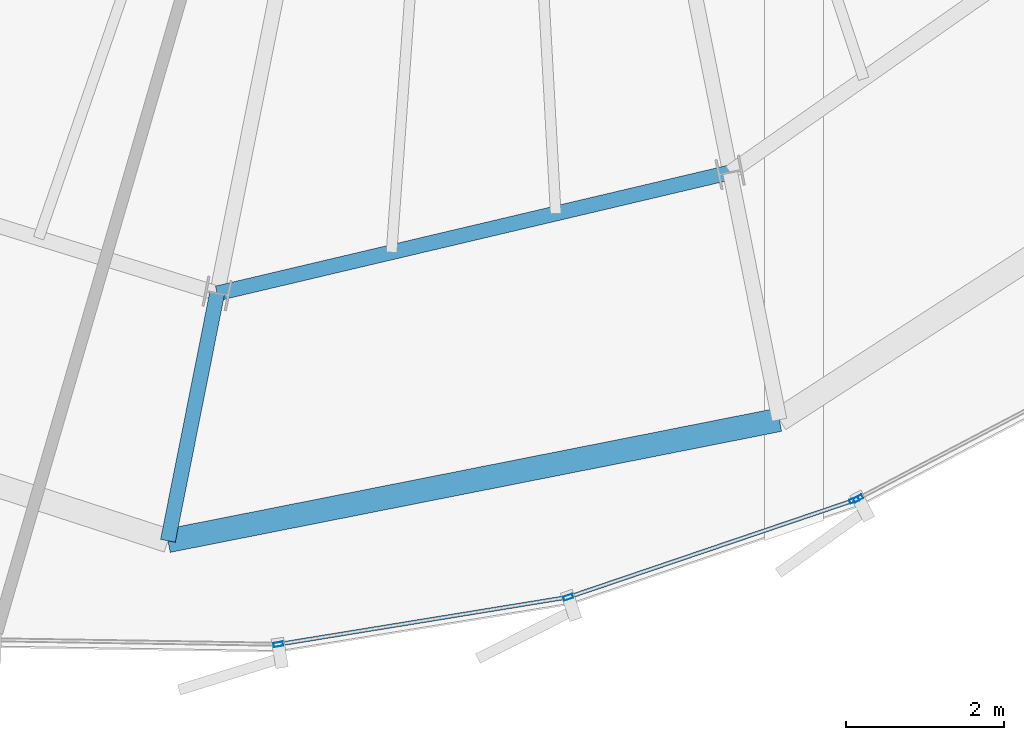
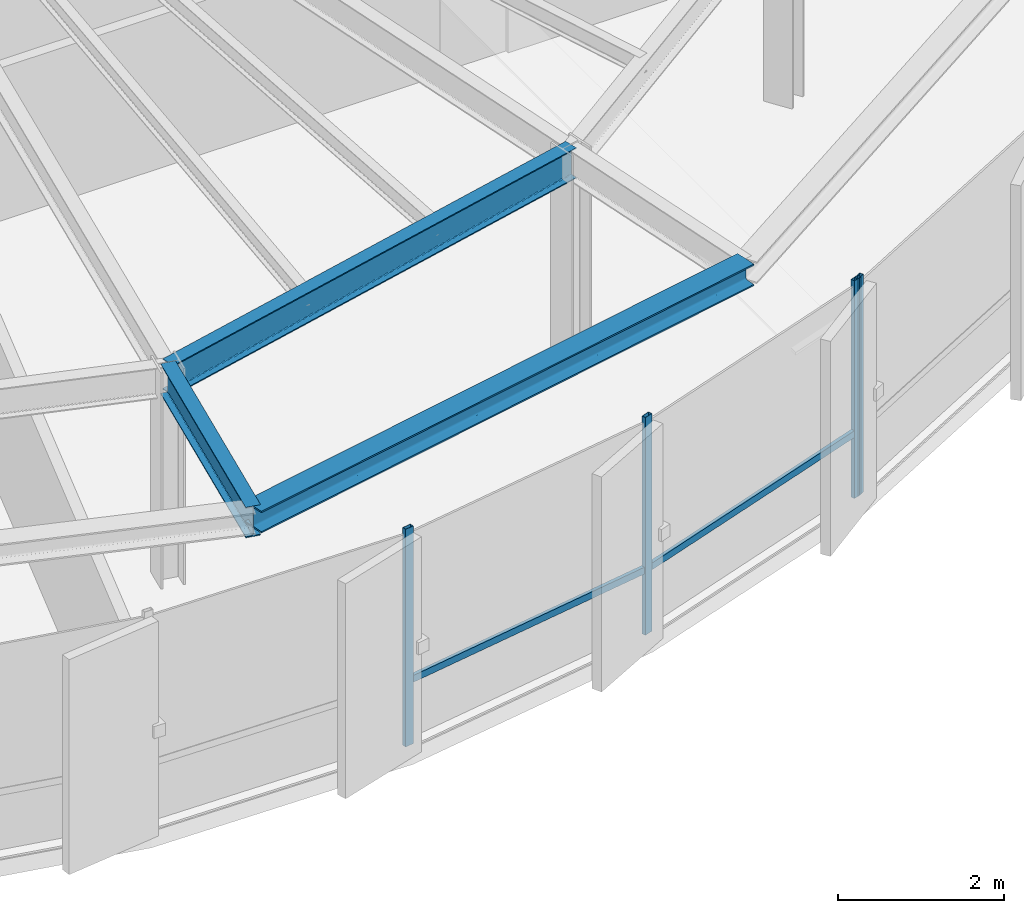
# One storey, part 6 of 34: 6 members, 3 beams, 2 elements without a shape of their own.
"""IFC4 building model written with IfcOpenShell, lengths in metres."""

from ifc_helpers import new_model, si_unit, direction, frame, origin, origin_2d, place, context, subcontext, project, spatial, hollow_rectangle, i_section, extrude, source, transform, mapped, material, layer, layer_set, material_profile, profile_set, type_object, element, aggregate, save


model = new_model("IFC4")

# Units and contexts
model_context = context("Model", 3, precision=1e-05, world=origin(), true_north=direction((0.0, 1.0)))
body_context = subcontext(model_context, "Body", "Model", "MODEL_VIEW")
ifc_project = project(units=[si_unit("LENGTHUNIT", "METRE"), si_unit("AREAUNIT", "SQUARE_METRE"), si_unit("VOLUMEUNIT", "CUBIC_METRE"), si_unit("PLANEANGLEUNIT", "RADIAN"), si_unit("MASSUNIT", "GRAM", prefix="KILO"), si_unit("THERMODYNAMICTEMPERATUREUNIT", "KELVIN")], contexts=[model_context])

# Site, building, storey
site_placement = place(None, origin())
site = spatial("IfcSite", under=ifc_project, at=site_placement, CompositionType="ELEMENT")
building_placement = place(site_placement, origin())
building = spatial("IfcBuilding", under=site, at=building_placement, Name="Kethvar Cultural Tower", CompositionType="ELEMENT")
storey_placement = place(building_placement, frame((0.0, 0.0, 231.85009765625)))
storey = spatial("IfcBuildingStorey", under=building, at=storey_placement, Name="L60", CompositionType="ELEMENT", Elevation=231.85009765625)

# Beams
ifc_material_1 = material(Name="Steel S355J2", Category="steel")
ifc_material_profile_1 = material_profile(ifc_material_1, i_section(OverallWidth=0.18994140625, OverallDepth=0.449951171875, WebThickness=0.009521484375, FlangeThickness=0.0146484375, FilletRadius=0.02099609375, at=origin_2d()), Name="Steel S355J2 — IPE450")
ifc_profile_set_1 = profile_set([ifc_material_profile_1], Name="Steel S355J2 — IPE450")
beam_type_1 = type_object("IfcBeamType", Name="BM-IPE450", PredefinedType="BEAM", material=ifc_profile_set_1)
shared_shape_1 = source(origin(), body_context, "Body", "SweptSolid", [
    extrude(i_section(OverallWidth=0.18994140625, OverallDepth=0.449951171875, WebThickness=0.009521484375, FlangeThickness=0.0146484375, FilletRadius=0.02099609375, at=origin_2d()), origin(), (0.0, 0.0, 1.0), 3.2001953125),
])
beam_1_placement = place(storey_placement, frame((43.392822265625, 10.67138671875, 2.98291015625), z_axis=(-0.195074368086, -0.980788453702, 0.0), x_axis=(0.980788453702, -0.195074368086, 0.0)))
element("IfcBeam", 1, at=beam_1_placement, inside=storey, type_object=beam_type_1, Name="L60 Perimeter Cantilever Beam RC-12", PredefinedType="BEAM", context=body_context, shape_type="MappedRepresentation", body=[
    mapped(shared_shape_1, transform((0.0, 0.0, 0.0), scale=1.0)),
])
shared_shape_2 = source(origin(), body_context, "Body", "SweptSolid", [
    extrude(i_section(OverallWidth=0.18994140625, OverallDepth=0.449951171875, WebThickness=0.009521484375, FlangeThickness=0.0146484375, FilletRadius=0.02099609375, at=origin_2d()), origin(), (0.0, 0.0, 1.0), 6.6875),
])
beam_2_placement = place(storey_placement, frame((43.392822265625, 10.67138671875, 2.98291015625), z_axis=(0.973286301494, 0.22959480683, 0.0), x_axis=(-0.22959480683, 0.973286301494, 0.0)))
element("IfcBeam", 2, at=beam_2_placement, inside=storey, type_object=beam_type_1, Name="L60 Column Ring Tie Beam CR-12", PredefinedType="BEAM", context=body_context, shape_type="MappedRepresentation", body=[
    mapped(shared_shape_2, transform((0.0, 0.0, 0.0), scale=1.0)),
])
ifc_material_profile_2 = material_profile(ifc_material_1, i_section(OverallWidth=0.300048828125, OverallDepth=0.320068359375, WebThickness=0.011474609375, FlangeThickness=0.0205078125, FilletRadius=0.027099609375, at=origin_2d()), Name="Steel S355J2 — HEB320")
ifc_profile_set_2 = profile_set([ifc_material_profile_2], Name="Steel S355J2 — HEB320")
beam_type_2 = type_object("IfcBeamType", Name="BM-SP320", PredefinedType="SPANDREL", material=ifc_profile_set_2)
shared_shape_3 = source(origin(), body_context, "Body", "SweptSolid", [
    extrude(i_section(OverallWidth=0.300048828125, OverallDepth=0.320068359375, WebThickness=0.011474609375, FlangeThickness=0.0205078125, FilletRadius=0.027099609375, at=origin_2d()), origin(), (0.0, 0.0, 1.0), 7.907958984375),
])
beam_3_placement = place(storey_placement, frame((42.7685546875, 7.53271484375, 3.0478515625), z_axis=(0.980963515828, 0.194192122948, 0.0), x_axis=(-0.194192122948, 0.980963515828, 0.0)))
element("IfcBeam", 3, at=beam_3_placement, inside=storey, type_object=beam_type_2, Name="L60 Perimeter Spandrel Beam SP-12", PredefinedType="SPANDREL", context=body_context, shape_type="MappedRepresentation", body=[
    mapped(shared_shape_3, transform((0.0, 0.0, 0.0), scale=1.0)),
])

# Curtain wall, members
ifc_material_2 = material(Name="Aluminium 6063-T6", Category="aluminium")
ifc_layer = layer(ifc_material_2, 0.179931640625, Name="Aluminium 6063-T6", Category="aluminium")
ifc_layer_set = layer_set([ifc_layer], Name="Aluminium 6063-T6 (180 mm)")
curtain_wall_type = type_object("IfcCurtainWallType", Name="CW-SYS-05-Z56", PredefinedType="NOTDEFINED", material=ifc_layer_set)
curtain_wall_1_placement = place(storey_placement, origin())
curtain_wall_1 = element("IfcCurtainWall", 4, at=curtain_wall_1_placement, inside=storey, type_object=curtain_wall_type, Name="L60 Curtain Wall Run 04", PredefinedType="NOTDEFINED")
ifc_material_profile_3 = material_profile(ifc_material_2, hollow_rectangle(XDim=0.054931640625, YDim=0.1201171875, WallThickness=0.00390625, at=origin_2d()), Name="Aluminium 6063-T6 — RHS120x55x4")
ifc_profile_set_3 = profile_set([ifc_material_profile_3], Name="Aluminium 6063-T6 — RHS120x55x4")
member_type_1 = type_object("IfcMemberType", Name="CW-SYS-05-Z56-MUL", PredefinedType="MULLION", material=ifc_profile_set_3)
shared_shape_4 = source(origin(), body_context, "Body", "SweptSolid", [
    extrude(hollow_rectangle(XDim=0.054931640625, YDim=0.1201171875, WallThickness=0.00390625, at=origin_2d()), origin(), (0.0, 0.0, 1.0), 3.2099609375),
])
member_1_placement = place(storey_placement, frame((44.169189453125, 6.21875, 0.0), z_axis=(0.0, 0.0, 1.0), x_axis=(-0.16084592274, 0.986979528226, 0.0)))
member_1 = element("IfcMember", 5, at=member_1_placement, type_object=member_type_1, Name="CW-L60-R04 Mullion 5", PredefinedType="MULLION", context=body_context, shape_type="MappedRepresentation", body=[
    mapped(shared_shape_4, transform((0.0, 0.0, 0.0), scale=1.0)),
])
member_2_placement = place(storey_placement, frame((47.84765625, 6.81689453125, 0.0), z_axis=(0.0, 0.0, 1.0), x_axis=(-0.321323773565, 0.946969393667, 0.0)))
member_2 = element("IfcMember", 6, at=member_2_placement, type_object=member_type_1, Name="CW-L60-R04 Mullion 6", PredefinedType="MULLION", context=body_context, shape_type="MappedRepresentation", body=[
    mapped(shared_shape_4, transform((0.0, 0.0, 0.0), scale=1.0)),
])
member_3_placement = place(storey_placement, frame((51.4755859375, 8.0478515625, 0.0), z_axis=(0.0, 0.0, 1.0), x_axis=(-0.321323773565, 0.946969393667, 0.0)))
member_3 = element("IfcMember", 7, at=member_3_placement, type_object=member_type_1, Name="CW-L60-R04 Mullion 7", PredefinedType="MULLION", context=body_context, shape_type="MappedRepresentation", body=[
    mapped(shared_shape_4, transform((0.0, 0.0, 0.0), scale=1.0)),
])

# Curtain wall, member
curtain_wall_2_placement = place(storey_placement, origin())
curtain_wall_2 = element("IfcCurtainWall", 8, at=curtain_wall_2_placement, inside=storey, type_object=curtain_wall_type, Name="L60 Curtain Wall Run 05", PredefinedType="NOTDEFINED")
member_4_placement = place(storey_placement, frame((51.526611328125, 8.06982421875, 0.0), z_axis=(0.0, 0.0, 1.0), x_axis=(-0.464532956732, 0.885555832294, 0.0)))
member_4 = element("IfcMember", 9, at=member_4_placement, type_object=member_type_1, Name="CW-L60-R05 Mullion 1", PredefinedType="MULLION", context=body_context, shape_type="MappedRepresentation", body=[
    mapped(shared_shape_4, transform((0.0, 0.0, 0.0), scale=1.0)),
])
aggregate(curtain_wall_2, [member_4])

# Member
ifc_material_profile_4 = material_profile(ifc_material_2, hollow_rectangle(XDim=0.050048828125, YDim=0.10009765625, WallThickness=0.00390625, at=origin_2d()), Name="Aluminium 6063-T6 — RHS100x50x4")
ifc_profile_set_4 = profile_set([ifc_material_profile_4], Name="Aluminium 6063-T6 — RHS100x50x4")
member_type_2 = type_object("IfcMemberType", Name="CW-SYS-05-Z56-TRN", PredefinedType="USERDEFINED", material=ifc_profile_set_4)
shared_shape_5 = source(origin(), body_context, "Body", "SweptSolid", [
    extrude(hollow_rectangle(XDim=0.050048828125, YDim=0.10009765625, WallThickness=0.00390625, at=origin_2d()), origin(), (0.0, 0.0, 1.0), 3.78759765625),
])
member_5_placement = place(storey_placement, frame((47.88525390625, 6.82958984375, 0.949951171875), z_axis=(0.946967842932, 0.321328343681, 0.0), x_axis=(-0.321328343681, 0.946967842932, 0.0)))
member_5 = element("IfcMember", 10, at=member_5_placement, type_object=member_type_2, Name="CW-L60-R04 Transom 6", ObjectType="TRANSOM", PredefinedType="USERDEFINED", context=body_context, shape_type="MappedRepresentation", body=[
    mapped(shared_shape_5, transform((0.0, 0.0, 0.0), scale=1.0)),
])

shared_shape_6 = source(origin(), body_context, "Body", "SweptSolid", [
    extrude(hollow_rectangle(XDim=0.050048828125, YDim=0.10009765625, WallThickness=0.00390625, at=origin_2d()), origin(), (0.0, 0.0, 1.0), 3.6640625),
])
member_6_placement = place(storey_placement, frame((44.208251953125, 6.22509765625, 0.949951171875), z_axis=(0.986979979115, 0.160843155983, 0.0), x_axis=(-0.160843155983, 0.986979979115, 0.0)))
member_6 = element("IfcMember", 11, at=member_6_placement, type_object=member_type_2, Name="CW-L60-R04 Transom 5", ObjectType="TRANSOM", PredefinedType="USERDEFINED", context=body_context, shape_type="MappedRepresentation", body=[
    mapped(shared_shape_6, transform((0.0, 0.0, 0.0), scale=1.0)),
])

aggregate(curtain_wall_1, [member_1, member_2, member_3, member_6, member_5])

save(model, "model.ifc")
